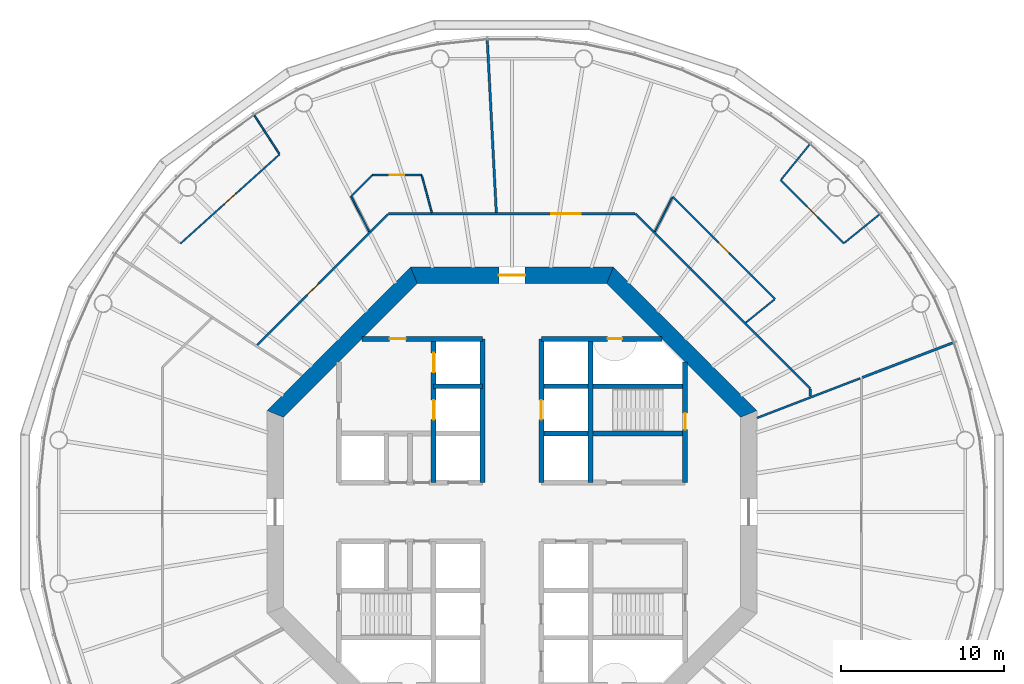
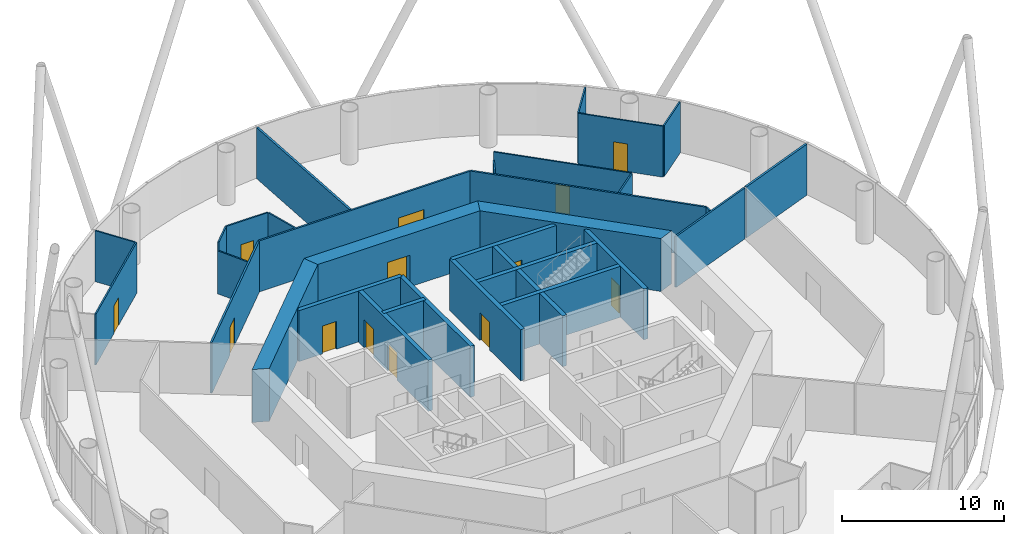
# One storey, part 5 of 13: 32 walls, 13 doors, 13 openings.
"""IFC4 building model written with IfcOpenShell, lengths in metres."""

from ifc_helpers import new_model, si_unit, direction, frame, frame_2d, origin, place, context, subcontext, project, spatial, polyline, rectangle, outline, extrude, material, layer, layer_set, type_object, element, fill, save


model = new_model("IFC4")

# Units and contexts
model_context = context("Model", 3, precision=1e-05, world=origin(), true_north=direction((0.0, 1.0)))
body_context = subcontext(model_context, "Body", "Model", "MODEL_VIEW")
ifc_project = project(units=[si_unit("LENGTHUNIT", "METRE"), si_unit("AREAUNIT", "SQUARE_METRE"), si_unit("VOLUMEUNIT", "CUBIC_METRE"), si_unit("PLANEANGLEUNIT", "RADIAN"), si_unit("MASSUNIT", "GRAM", prefix="KILO")], contexts=[model_context])

# Site, building, storey
site_placement = place(None, origin())
site = spatial("IfcSite", under=ifc_project, at=site_placement, CompositionType="ELEMENT")
building_placement = place(site_placement, origin())
building = spatial("IfcBuilding", under=site, at=building_placement, Name="Entoto Ring Tower", CompositionType="ELEMENT")
storey_placement = place(building_placement, frame((0.0, 0.0, 180.0)))
storey = spatial("IfcBuildingStorey", under=building, at=storey_placement, Name="L41", CompositionType="ELEMENT", Elevation=180.0)

# Wall, opening, door
ifc_material_1 = material(Name="Concrete C40/50", Category="concrete")
ifc_layer_1 = layer(ifc_material_1, 0.300048828125)
ifc_layer_set_1 = layer_set([ifc_layer_1], Name="Concrete C40/50")
wall_type_1 = type_object("IfcWallType", Name="Core enclosure wall 300 mm reinforced concrete", PredefinedType="SOLIDWALL", material=ifc_layer_set_1)
wall_1_placement = place(storey_placement, frame((100.60009765625, 81.800048828125, 0.0), z_axis=(0.0, 0.0, 1.0), x_axis=(0.0, 1.0, 0.0)))
wall_1 = element("IfcWall", 1, at=wall_1_placement, inside=storey, type_object=wall_type_1, Name="wall-L41-002", PredefinedType="SOLIDWALL", context=body_context, shape_type="SweptSolid", body=[
    extrude(rectangle(XDim=7.39892578125, YDim=0.300048828125, at=frame_2d((3.699462890625, 0.0))), origin(), (0.0, 0.0, 1.0), 3.85009765625),
])
opening_1_placement = place(wall_1_placement, frame((3.25, 0.0, 0.0)))
opening_1 = element("IfcOpeningElement", 2, at=opening_1_placement, cuts=wall_1, Name="Opening K-17", PredefinedType="OPENING", context=body_context, shape_type="SweptSolid", body=[
    extrude(rectangle(XDim=1.0, YDim=2.10009765625, at=frame_2d((0.5, 1.050048828125))), frame((0.0, 0.16015625, 0.0), z_axis=(0.0, -1.0, 0.0), x_axis=(1.0, 0.0, 0.0)), (0.0, 0.0, 1.0), 0.320068359375),
])
ifc_material_2 = material(Name="Steel door leaf, fire rated", Category="steel")
ifc_layer_2 = layer(ifc_material_2, 0.050048828125)
ifc_layer_set_2 = layer_set([ifc_layer_2], Name="Steel door leaf, fire rated")
door_type_1 = type_object("IfcDoorType", Name="Fire door FD60 1000 x 2100 single leaf", OperationType="NOTDEFINED", PredefinedType="DOOR", material=ifc_layer_set_2)
door_1_placement = place(opening_1_placement, origin())
door_1 = element("IfcDoor", 3, at=door_1_placement, inside=storey, type_object=door_type_1, Name="Door K-17", OperationType="SINGLE_SWING_LEFT", OverallHeight=2.10009765625, OverallWidth=1.0, PredefinedType="DOOR", context=body_context, shape_type="SweptSolid", body=[
    extrude(rectangle(XDim=1.0, YDim=2.10009765625, at=frame_2d((0.5, 1.050048828125))), frame((0.0, 0.02490234375, 0.0), z_axis=(0.0, -1.0, 0.0), x_axis=(1.0, 0.0, 0.0)), (0.0, 0.0, 1.0), 0.050048828125),
])
fill(opening_1, door_1)

# Wall
wall_2_placement = place(storey_placement, frame((94.800048828125, 81.800048828125, 0.0), z_axis=(0.0, 0.0, 1.0), x_axis=(0.0, 1.0, 0.0)))
element("IfcWall", 4, at=wall_2_placement, inside=storey, type_object=wall_type_1, Name="wall-L41-004", PredefinedType="SOLIDWALL", context=body_context, shape_type="SweptSolid", body=[
    extrude(rectangle(XDim=8.800048828125, YDim=0.300048828125, at=frame_2d((4.39990234375, 0.0))), origin(), (0.0, 0.0, 1.0), 3.85009765625),
])

# Wall, opening, door
wall_3_placement = place(storey_placement, frame((91.800048828125, 81.800048828125, 0.0), z_axis=(0.0, 0.0, 1.0), x_axis=(0.0, 1.0, 0.0)))
wall_3 = element("IfcWall", 5, at=wall_3_placement, inside=storey, type_object=wall_type_1, Name="wall-L41-006", PredefinedType="SOLIDWALL", context=body_context, shape_type="SweptSolid", body=[
    extrude(rectangle(XDim=8.800048828125, YDim=0.300048828125, at=frame_2d((4.39990234375, 0.0))), origin(), (0.0, 0.0, 1.0), 3.85009765625),
])
opening_2_placement = place(wall_3_placement, frame((3.85009765625, 0.0, 0.0)))
opening_2 = element("IfcOpeningElement", 6, at=opening_2_placement, cuts=wall_3, Name="Opening LD", PredefinedType="OPENING", context=body_context, shape_type="SweptSolid", body=[
    extrude(rectangle(XDim=1.199951171875, YDim=2.10009765625, at=frame_2d((0.60009765625, 1.050048828125))), frame((0.0, 0.16015625, 0.0), z_axis=(0.0, -1.0, 0.0), x_axis=(1.0, 0.0, 0.0)), (0.0, 0.0, 1.0), 0.320068359375),
])
ifc_material_3 = material(Name="Steel and glass door leaf", Category="steel")
ifc_layer_3 = layer(ifc_material_3, 0.050048828125)
ifc_layer_set_3 = layer_set([ifc_layer_3], Name="Steel and glass door leaf")
door_type_2 = type_object("IfcDoorType", Name="Landing door 1200 x 2100 sliding", OperationType="DOUBLE_DOOR_SLIDING", PredefinedType="DOOR", material=ifc_layer_set_3)
door_2_placement = place(opening_2_placement, origin())
door_2 = element("IfcDoor", 7, at=door_2_placement, inside=storey, type_object=door_type_2, Name="Landing door LB1-MR", OperationType="SLIDING_TO_RIGHT", OverallHeight=2.10009765625, OverallWidth=1.199951171875, PredefinedType="DOOR", context=body_context, shape_type="SweptSolid", body=[
    extrude(rectangle(XDim=1.199951171875, YDim=2.10009765625, at=frame_2d((0.60009765625, 1.050048828125))), frame((0.0, 0.02490234375, 0.0), z_axis=(0.0, -1.0, 0.0), x_axis=(1.0, 0.0, 0.0)), (0.0, 0.0, 1.0), 0.050048828125),
])
fill(opening_2, door_2)

# Wall
wall_4_placement = place(storey_placement, frame((88.199951171875, 81.800048828125, 0.0), z_axis=(0.0, 0.0, 1.0), x_axis=(0.0, 1.0, 0.0)))
element("IfcWall", 8, at=wall_4_placement, inside=storey, type_object=wall_type_1, Name="wall-L41-008", PredefinedType="SOLIDWALL", context=body_context, shape_type="SweptSolid", body=[
    extrude(rectangle(XDim=8.800048828125, YDim=0.300048828125, at=frame_2d((4.39990234375, 0.0))), origin(), (0.0, 0.0, 1.0), 3.85009765625),
])

# Wall, openings, doors
wall_5_placement = place(storey_placement, frame((85.199951171875, 81.800048828125, 0.0), z_axis=(0.0, 0.0, 1.0), x_axis=(0.0, 1.0, 0.0)))
wall_5 = element("IfcWall", 9, at=wall_5_placement, inside=storey, type_object=wall_type_1, Name="wall-L41-010", PredefinedType="SOLIDWALL", context=body_context, shape_type="SweptSolid", body=[
    extrude(rectangle(XDim=8.800048828125, YDim=0.300048828125, at=frame_2d((4.39990234375, 0.0))), origin(), (0.0, 0.0, 1.0), 3.85009765625),
])
opening_3_placement = place(wall_5_placement, frame((3.85009765625, 0.0, 0.0)))
opening_3 = element("IfcOpeningElement", 10, at=opening_3_placement, cuts=wall_5, Name="Opening LD", PredefinedType="OPENING", context=body_context, shape_type="SweptSolid", body=[
    extrude(rectangle(XDim=1.199951171875, YDim=2.10009765625, at=frame_2d((0.60009765625, 1.050048828125))), frame((0.0, 0.16015625, 0.0), z_axis=(0.0, -1.0, 0.0), x_axis=(1.0, 0.0, 0.0)), (0.0, 0.0, 1.0), 0.320068359375),
])
opening_4_placement = place(wall_5_placement, frame((6.75, 0.0, 0.0)))
opening_4 = element("IfcOpeningElement", 11, at=opening_4_placement, cuts=wall_5, Name="Opening LD", PredefinedType="OPENING", context=body_context, shape_type="SweptSolid", body=[
    extrude(rectangle(XDim=1.199951171875, YDim=2.10009765625, at=frame_2d((0.60009765625, 1.050048828125))), frame((0.0, 0.16015625, 0.0), z_axis=(0.0, -1.0, 0.0), x_axis=(1.0, 0.0, 0.0)), (0.0, 0.0, 1.0), 0.320068359375),
])
door_3_placement = place(opening_3_placement, origin())
door_3 = element("IfcDoor", 12, at=door_3_placement, inside=storey, type_object=door_type_2, Name="Landing door FF1", OperationType="SLIDING_TO_RIGHT", OverallHeight=2.10009765625, OverallWidth=1.199951171875, PredefinedType="DOOR", context=body_context, shape_type="SweptSolid", body=[
    extrude(rectangle(XDim=1.199951171875, YDim=2.10009765625, at=frame_2d((0.60009765625, 1.050048828125))), frame((0.0, 0.02490234375, 0.0), z_axis=(0.0, -1.0, 0.0), x_axis=(1.0, 0.0, 0.0)), (0.0, 0.0, 1.0), 0.050048828125),
])
fill(opening_3, door_3)
door_4_placement = place(opening_4_placement, origin())
door_4 = element("IfcDoor", 13, at=door_4_placement, inside=storey, type_object=door_type_2, Name="Landing door FF2", OperationType="SLIDING_TO_RIGHT", OverallHeight=2.10009765625, OverallWidth=1.199951171875, PredefinedType="DOOR", context=body_context, shape_type="SweptSolid", body=[
    extrude(rectangle(XDim=1.199951171875, YDim=2.10009765625, at=frame_2d((0.60009765625, 1.050048828125))), frame((0.0, 0.02490234375, 0.0), z_axis=(0.0, -1.0, 0.0), x_axis=(1.0, 0.0, 0.0)), (0.0, 0.0, 1.0), 0.050048828125),
])
fill(opening_4, door_4)

# Walls
wall_6_placement = place(storey_placement, frame((91.800048828125, 84.800048828125, 0.0), z_axis=(0.0, 0.0, 1.0), x_axis=(1.0, 0.0, 0.0)))
element("IfcWall", 14, at=wall_6_placement, inside=storey, type_object=wall_type_1, Name="wall-L41-028", PredefinedType="SOLIDWALL", context=body_context, shape_type="SweptSolid", body=[
    extrude(rectangle(XDim=8.800048828125, YDim=0.300048828125, at=frame_2d((4.39990234375, 0.0))), origin(), (0.0, 0.0, 1.0), 3.85009765625),
])
wall_7_placement = place(storey_placement, frame((85.199951171875, 87.699951171875, 0.0), z_axis=(0.0, 0.0, 1.0), x_axis=(1.0, 0.0, 0.0)))
element("IfcWall", 15, at=wall_7_placement, inside=storey, type_object=wall_type_1, Name="wall-L41-029", PredefinedType="SOLIDWALL", context=body_context, shape_type="SweptSolid", body=[
    extrude(rectangle(XDim=3.0, YDim=0.300048828125, at=frame_2d((1.5, 0.0))), origin(), (0.0, 0.0, 1.0), 3.85009765625),
])
wall_8_placement = place(storey_placement, frame((91.800048828125, 87.699951171875, 0.0), z_axis=(0.0, 0.0, 1.0), x_axis=(1.0, 0.0, 0.0)))
element("IfcWall", 16, at=wall_8_placement, inside=storey, type_object=wall_type_1, Name="wall-L41-030", PredefinedType="SOLIDWALL", context=body_context, shape_type="SweptSolid", body=[
    extrude(rectangle(XDim=8.800048828125, YDim=0.300048828125, at=frame_2d((4.39990234375, 0.0))), origin(), (0.0, 0.0, 1.0), 3.85009765625),
])

# Wall, opening, door
wall_9_placement = place(storey_placement, frame((80.801025390625, 90.60009765625, 0.0), z_axis=(0.0, 0.0, 1.0), x_axis=(1.0, 0.0, 0.0)))
wall_9 = element("IfcWall", 17, at=wall_9_placement, inside=storey, type_object=wall_type_1, Name="wall-L41-031", PredefinedType="SOLIDWALL", context=body_context, shape_type="SweptSolid", body=[
    extrude(rectangle(XDim=7.39892578125, YDim=0.300048828125, at=frame_2d((3.699462890625, 0.0))), origin(), (0.0, 0.0, 1.0), 3.85009765625),
])
opening_5_placement = place(wall_9_placement, frame((1.698974609375, 0.0, 0.0)))
opening_5 = element("IfcOpeningElement", 18, at=opening_5_placement, cuts=wall_9, Name="Opening K-73", PredefinedType="OPENING", context=body_context, shape_type="SweptSolid", body=[
    extrude(rectangle(XDim=1.0, YDim=2.10009765625, at=frame_2d((0.5, 1.050048828125))), frame((0.0, 0.16015625, 0.0), z_axis=(0.0, -1.0, 0.0), x_axis=(1.0, 0.0, 0.0)), (0.0, 0.0, 1.0), 0.320068359375),
])
door_5_placement = place(opening_5_placement, frame((1.0, 0.0, 0.0), z_axis=(0.0, 0.0, 1.0), x_axis=(-1.0, 0.0, 0.0)))
door_5 = element("IfcDoor", 19, at=door_5_placement, inside=storey, type_object=door_type_1, Name="Door K-73", OperationType="SINGLE_SWING_LEFT", OverallHeight=2.10009765625, OverallWidth=1.0, PredefinedType="DOOR", context=body_context, shape_type="SweptSolid", body=[
    extrude(rectangle(XDim=1.0, YDim=2.10009765625, at=frame_2d((0.5, 1.050048828125))), frame((0.0, 0.02490234375, 0.0), z_axis=(0.0, -1.0, 0.0), x_axis=(1.0, 0.0, 0.0)), (0.0, 0.0, 1.0), 0.050048828125),
])
fill(opening_5, door_5)

wall_10_placement = place(storey_placement, frame((91.800048828125, 90.60009765625, 0.0), z_axis=(0.0, 0.0, 1.0), x_axis=(1.0, 0.0, 0.0)))
wall_10 = element("IfcWall", 20, at=wall_10_placement, inside=storey, type_object=wall_type_1, Name="wall-L41-032", PredefinedType="SOLIDWALL", context=body_context, shape_type="SweptSolid", body=[
    extrude(rectangle(XDim=7.39892578125, YDim=0.300048828125, at=frame_2d((3.699462890625, 0.0))), origin(), (0.0, 0.0, 1.0), 3.85009765625),
])
opening_6_placement = place(wall_10_placement, frame((4.050048828125, 0.0, 0.0)))
opening_6 = element("IfcOpeningElement", 21, at=opening_6_placement, cuts=wall_10, Name="Opening K-20", PredefinedType="OPENING", context=body_context, shape_type="SweptSolid", body=[
    extrude(rectangle(XDim=0.89990234375, YDim=2.10009765625, at=frame_2d((0.449951171875, 1.050048828125))), frame((0.0, 0.16015625, 0.0), z_axis=(0.0, -1.0, 0.0), x_axis=(1.0, 0.0, 0.0)), (0.0, 0.0, 1.0), 0.320068359375),
])
ifc_material_4 = material(Name="Steel door leaf, fire rated", Category="steel")
ifc_layer_4 = layer(ifc_material_4, 0.050048828125)
ifc_layer_set_4 = layer_set([ifc_layer_4], Name="Steel door leaf, fire rated")
door_type_3 = type_object("IfcDoorType", Name="Riser door FD60 900 x 2100 single leaf", OperationType="NOTDEFINED", PredefinedType="DOOR", material=ifc_layer_set_4)
door_6_placement = place(opening_6_placement, frame((0.89990234375, 0.0, 0.0), z_axis=(0.0, 0.0, 1.0), x_axis=(-1.0, 0.0, 0.0)))
door_6 = element("IfcDoor", 22, at=door_6_placement, inside=storey, type_object=door_type_3, Name="Door K-20", OperationType="SINGLE_SWING_RIGHT", OverallHeight=2.10009765625, OverallWidth=0.89990234375, PredefinedType="DOOR", context=body_context, shape_type="SweptSolid", body=[
    extrude(rectangle(XDim=0.89990234375, YDim=2.10009765625, at=frame_2d((0.449951171875, 1.050048828125))), frame((0.0, 0.02490234375, 0.0), z_axis=(0.0, -1.0, 0.0), x_axis=(1.0, 0.0, 0.0)), (0.0, 0.0, 1.0), 0.050048828125),
])
fill(opening_6, door_6)

# Wall
ifc_material_5 = material(Name="Concrete C50/60", Category="concrete")
ifc_layer_5 = layer(ifc_material_5, 1.0)
ifc_layer_set_5 = layer_set([ifc_layer_5], Name="Concrete C50/60")
wall_type_2 = type_object("IfcWallType", Name="Core shear wall 1000 mm reinforced concrete C50/60", PredefinedType="SHEAR", material=ifc_layer_set_5)
wall_11_placement = place(storey_placement, frame((104.5, 86.006103515625, 0.0), z_axis=(0.0, 0.0, 1.0), x_axis=(-0.707106781187, 0.707106781187, 0.0)))
element("IfcWall", 23, at=wall_11_placement, inside=storey, type_object=wall_type_2, Name="wall-L41-core-1", PredefinedType="SHEAR", context=body_context, shape_type="SweptSolid", body=[
    extrude(outline(polyline([(-0.20703125, -0.5), (12.21923828125, -0.5), (11.80517578125, 0.5), (0.20703125, 0.5), (-0.20703125, -0.5)])), origin(), (0.0, 0.0, 1.0), 4.0),
])

# Wall, opening, door
wall_12_placement = place(storey_placement, frame((96.006103515625, 94.5, 0.0), z_axis=(0.0, 0.0, 1.0), x_axis=(-1.0, 0.0, 0.0)))
wall_12 = element("IfcWall", 24, at=wall_12_placement, inside=storey, type_object=wall_type_2, Name="wall-L41-core-2", PredefinedType="SHEAR", context=body_context, shape_type="SweptSolid", body=[
    extrude(outline(polyline([(-0.20703125, -0.5), (12.21923828125, -0.5), (11.80517578125, 0.5), (0.20703125, 0.5), (-0.20703125, -0.5)])), origin(), (0.0, 0.0, 1.0), 4.0),
])
opening_7_placement = place(wall_12_placement, frame((5.2060546875, 0.0, 0.0)))
opening_7 = element("IfcOpeningElement", 25, at=opening_7_placement, cuts=wall_12, Name="Opening K-02", PredefinedType="OPENING", context=body_context, shape_type="SweptSolid", body=[
    extrude(rectangle(XDim=1.60009765625, YDim=2.39990234375, at=frame_2d((0.800048828125, 1.199951171875))), frame((0.0, 0.510009765625, 0.0), z_axis=(0.0, -1.0, 0.0), x_axis=(1.0, 0.0, 0.0)), (0.0, 0.0, 1.0), 1.02001953125),
])
ifc_material_6 = material(Name="Steel door leaf, fire rated", Category="steel")
ifc_layer_6 = layer(ifc_material_6, 0.050048828125)
ifc_layer_set_6 = layer_set([ifc_layer_6], Name="Steel door leaf, fire rated")
door_type_4 = type_object("IfcDoorType", Name="Entrance door FD60 1600 x 2400 double leaf", OperationType="DOUBLE_DOOR_SINGLE_SWING", PredefinedType="DOOR", material=ifc_layer_set_6)
door_7_placement = place(opening_7_placement, origin())
door_7 = element("IfcDoor", 26, at=door_7_placement, inside=storey, type_object=door_type_4, Name="Entrance door K-02", OperationType="DOUBLE_DOOR_SINGLE_SWING", OverallHeight=2.39990234375, OverallWidth=1.60009765625, PredefinedType="DOOR", context=body_context, shape_type="SweptSolid", body=[
    extrude(rectangle(XDim=1.60009765625, YDim=2.39990234375, at=frame_2d((0.800048828125, 1.199951171875))), frame((0.0, 0.02490234375, 0.0), z_axis=(0.0, -1.0, 0.0), x_axis=(1.0, 0.0, 0.0)), (0.0, 0.0, 1.0), 0.050048828125),
])
fill(opening_7, door_7)

# Walls
wall_13_placement = place(storey_placement, frame((83.993896484375, 94.5, 0.0), z_axis=(0.0, 0.0, 1.0), x_axis=(-0.707106781187, -0.707106781187, 0.0)))
element("IfcWall", 27, at=wall_13_placement, inside=storey, type_object=wall_type_2, Name="wall-L41-core-3", PredefinedType="SHEAR", context=body_context, shape_type="SweptSolid", body=[
    extrude(outline(polyline([(-0.20703125, -0.5), (12.21923828125, -0.5), (11.80517578125, 0.5), (0.20703125, 0.5), (-0.20703125, -0.5)])), origin(), (0.0, 0.0, 1.0), 4.0),
])
ifc_material_7 = material(Name="Fire-resisting plasterboard on steel studs", Category="steel")
ifc_layer_7 = layer(ifc_material_7, 0.125)
ifc_layer_set_7 = layer_set([ifc_layer_7], Name="Fire-resisting plasterboard on steel studs")
wall_type_3 = type_object("IfcWallType", Name="Corridor wall 125 mm one-hour plasterboard on steel studs", PredefinedType="PARTITIONING", material=ifc_layer_set_7)
wall_14_placement = place(storey_placement, frame((108.262451171875, 87.564697265625, 0.0), z_axis=(0.0, 0.0, 1.0), x_axis=(-0.707106781187, 0.707106781187, 0.0)))
element("IfcWall", 28, at=wall_14_placement, inside=storey, type_object=wall_type_3, Name="partition-L41-003", PredefinedType="PARTITIONING", context=body_context, shape_type="SweptSolid", body=[
    extrude(rectangle(XDim=15.12890625, YDim=0.125, at=frame_2d((7.564453125, 0.0))), origin(), (0.0, 0.0, 1.0), 3.85009765625),
])

# Wall, opening, door
wall_15_placement = place(storey_placement, frame((82.435302734375, 98.262451171875, 0.0), z_axis=(0.0, 0.0, 1.0), x_axis=(1.0, 0.0, 0.0)))
wall_15 = element("IfcWall", 29, at=wall_15_placement, inside=storey, type_object=wall_type_3, Name="partition-L41-005", PredefinedType="PARTITIONING", context=body_context, shape_type="SweptSolid", body=[
    extrude(rectangle(XDim=15.085205078125, YDim=0.125, at=frame_2d((7.54248046875, 0.0))), origin(), (0.0, 0.0, 1.0), 3.85009765625),
])
opening_8_placement = place(wall_15_placement, frame((9.96826171875, 0.0, 0.0)))
opening_8 = element("IfcOpeningElement", 30, at=opening_8_placement, cuts=wall_15, Name="Opening A18-D03", PredefinedType="OPENING", context=body_context, shape_type="SweptSolid", body=[
    extrude(rectangle(XDim=1.800048828125, YDim=2.10009765625, at=frame_2d((0.89990234375, 1.050048828125))), frame((0.0, 0.072509765625, 0.0), z_axis=(0.0, -1.0, 0.0), x_axis=(1.0, 0.0, 0.0)), (0.0, 0.0, 1.0), 0.14501953125),
])
ifc_material_8 = material(Name="Fire-resisting timber door set", Category="wood")
door_type_5 = type_object("IfcDoorType", Name="Door 1800 x 2100 double leaf FD30S fire door", OperationType="DOUBLE_DOOR_SINGLE_SWING", PredefinedType="DOOR", material=ifc_material_8)
door_8_placement = place(opening_8_placement, origin())
door_8 = element("IfcDoor", 31, at=door_8_placement, inside=storey, type_object=door_type_5, Name="Door A18-D03", OperationType="DOUBLE_DOOR_SINGLE_SWING", OverallHeight=2.10009765625, OverallWidth=1.800048828125, PredefinedType="DOOR", context=body_context, shape_type="SweptSolid", body=[
    extrude(rectangle(XDim=1.800048828125, YDim=2.10009765625, at=frame_2d((0.89990234375, 1.050048828125))), frame((0.0, 0.02490234375, 0.0), z_axis=(0.0, -1.0, 0.0), x_axis=(1.0, 0.0, 0.0)), (0.0, 0.0, 1.0), 0.050048828125),
])
fill(opening_8, door_8)

wall_16_placement = place(storey_placement, frame((74.39599609375, 90.22314453125, 0.0), z_axis=(0.0, 0.0, 1.0), x_axis=(0.707106781187, 0.707106781187, 0.0)))
wall_16 = element("IfcWall", 32, at=wall_16_placement, inside=storey, type_object=wall_type_3, Name="partition-L41-007", PredefinedType="PARTITIONING", context=body_context, shape_type="SweptSolid", body=[
    extrude(rectangle(XDim=11.325439453125, YDim=0.125, at=frame_2d((5.66259765625, 0.0))), origin(), (0.0, 0.0, 1.0), 3.85009765625),
])
opening_9_placement = place(wall_16_placement, frame((4.330810546875, 0.0, 0.0)))
opening_9 = element("IfcOpeningElement", 33, at=opening_9_placement, cuts=wall_16, Name="Opening A18-D06", PredefinedType="OPENING", context=body_context, shape_type="SweptSolid", body=[
    extrude(rectangle(XDim=1.0, YDim=2.10009765625, at=frame_2d((0.5, 1.050048828125))), frame((0.0, 0.072509765625, 0.0), z_axis=(0.0, -1.0, 0.0), x_axis=(1.0, 0.0, 0.0)), (0.0, 0.0, 1.0), 0.14501953125),
])
ifc_material_9 = material(Name="Fire-resisting timber door set", Category="wood")
door_type_6 = type_object("IfcDoorType", Name="Door 1000 x 2100 single leaf FD30S fire door", OperationType="NOTDEFINED", PredefinedType="DOOR", material=ifc_material_9)
door_9_placement = place(opening_9_placement, origin())
door_9 = element("IfcDoor", 34, at=door_9_placement, inside=storey, type_object=door_type_6, Name="Door A18-D06", OperationType="SINGLE_SWING_LEFT", OverallHeight=2.10009765625, OverallWidth=1.0, PredefinedType="DOOR", context=body_context, shape_type="SweptSolid", body=[
    extrude(rectangle(XDim=1.0, YDim=2.10009765625, at=frame_2d((0.5, 1.050048828125))), frame((0.0, 0.02490234375, 0.0), z_axis=(0.0, -1.0, 0.0), x_axis=(1.0, 0.0, 0.0)), (0.0, 0.0, 1.0), 0.050048828125),
])
fill(opening_9, door_9)

# Walls
wall_17_placement = place(storey_placement, frame((105.0, 85.758056640625, 0.0), z_axis=(0.0, 0.0, 1.0), x_axis=(0.933585389183, 0.358355021038, 0.0)))
element("IfcWall", 35, at=wall_17_placement, inside=storey, type_object=wall_type_3, Name="partition-L41-009", PredefinedType="PARTITIONING", context=body_context, shape_type="SweptSolid", body=[
    extrude(rectangle(XDim=6.764404296875, YDim=0.125, at=frame_2d((3.38232421875, 0.0))), origin(), (0.0, 0.0, 1.0), 3.85009765625),
])
wall_18_placement = place(storey_placement, frame((108.262451171875, 87.10107421875, 0.0), z_axis=(0.0, 0.0, 1.0), x_axis=(0.0, 1.0, 0.0)))
element("IfcWall", 36, at=wall_18_placement, inside=storey, type_object=wall_type_3, Name="partition-L41-016", PredefinedType="PARTITIONING", context=body_context, shape_type="SweptSolid", body=[
    extrude(rectangle(XDim=0.41943359375, YDim=0.125, at=frame_2d((0.209716796875, 0.0))), origin(), (0.0, 0.0, 1.0), 3.85009765625),
])

# Wall, opening, door
ifc_material_10 = material(Name="Plasterboard on steel studs", Category="steel")
ifc_layer_8 = layer(ifc_material_10, 0.10009765625)
ifc_layer_set_8 = layer_set([ifc_layer_8], Name="Plasterboard on steel studs")
wall_type_4 = type_object("IfcWallType", Name="Partition 100 mm plasterboard on steel studs", PredefinedType="PARTITIONING", material=ifc_layer_set_8)
wall_19_placement = place(storey_placement, frame((106.107177734375, 93.043212890625, 0.0), z_axis=(0.0, 0.0, 1.0), x_axis=(-0.707093009375, 0.70712055273, 0.0)))
wall_19 = element("IfcWall", 37, at=wall_19_placement, inside=storey, type_object=wall_type_4, Name="partition-L41-023", PredefinedType="PARTITIONING", context=body_context, shape_type="SweptSolid", body=[
    extrude(rectangle(XDim=8.86376953125, YDim=0.10009765625, at=frame_2d((4.431884765625, 0.0))), origin(), (0.0, 0.0, 1.0), 3.85009765625),
])
opening_10_placement = place(wall_19_placement, frame((3.98193359375, 0.0, 0.0)))
opening_10 = element("IfcOpeningElement", 38, at=opening_10_placement, cuts=wall_19, Name="Opening A18-D04", PredefinedType="OPENING", context=body_context, shape_type="SweptSolid", body=[
    extrude(rectangle(XDim=0.89990234375, YDim=2.10009765625, at=frame_2d((0.449951171875, 1.050048828125))), frame((0.0, 0.06005859375, 0.0), z_axis=(0.0, -1.0, 0.0), x_axis=(1.0, 0.0, 0.0)), (0.0, 0.0, 1.0), 0.1201171875),
])
ifc_material_11 = material(Name="Veneered timber door leaf in timber frame", Category="wood")
door_type_7 = type_object("IfcDoorType", Name="Door 900 x 2100 single leaf timber veneer", OperationType="NOTDEFINED", PredefinedType="DOOR", material=ifc_material_11)
door_10_placement = place(opening_10_placement, origin())
door_10 = element("IfcDoor", 39, at=door_10_placement, inside=storey, type_object=door_type_7, Name="Door A18-D04", OperationType="SINGLE_SWING_RIGHT", OverallHeight=2.10009765625, OverallWidth=0.89990234375, PredefinedType="DOOR", context=body_context, shape_type="SweptSolid", body=[
    extrude(rectangle(XDim=0.89990234375, YDim=2.10009765625, at=frame_2d((0.449951171875, 1.050048828125))), frame((0.0, 0.02490234375, 0.0), z_axis=(0.0, -1.0, 0.0), x_axis=(1.0, 0.0, 0.0)), (0.0, 0.0, 1.0), 0.050048828125),
])
fill(opening_10, door_10)

wall_20_placement = place(storey_placement, frame((69.700927734375, 96.437744140625, 0.0), z_axis=(0.0, 0.0, 1.0), x_axis=(0.743138149353, 0.669138020872, 0.0)))
wall_20 = element("IfcWall", 40, at=wall_20_placement, inside=storey, type_object=wall_type_4, Name="partition-L41-024", PredefinedType="PARTITIONING", context=body_context, shape_type="SweptSolid", body=[
    extrude(rectangle(XDim=8.172119140625, YDim=0.10009765625, at=frame_2d((4.0859375, 0.0))), origin(), (0.0, 0.0, 1.0), 3.85009765625),
])
opening_11_placement = place(wall_20_placement, frame((3.635986328125, 0.0, 0.0)))
opening_11 = element("IfcOpeningElement", 41, at=opening_11_placement, cuts=wall_20, Name="Opening A18-D08", PredefinedType="OPENING", context=body_context, shape_type="SweptSolid", body=[
    extrude(rectangle(XDim=0.89990234375, YDim=2.10009765625, at=frame_2d((0.449951171875, 1.050048828125))), frame((0.0, 0.06005859375, 0.0), z_axis=(0.0, -1.0, 0.0), x_axis=(1.0, 0.0, 0.0)), (0.0, 0.0, 1.0), 0.1201171875),
])
door_11_placement = place(opening_11_placement, origin())
door_11 = element("IfcDoor", 42, at=door_11_placement, inside=storey, type_object=door_type_7, Name="Door A18-D08", OperationType="SINGLE_SWING_LEFT", OverallHeight=2.10009765625, OverallWidth=0.89990234375, PredefinedType="DOOR", context=body_context, shape_type="SweptSolid", body=[
    extrude(rectangle(XDim=0.89990234375, YDim=2.10009765625, at=frame_2d((0.449951171875, 1.050048828125))), frame((0.0, 0.02490234375, 0.0), z_axis=(0.0, -1.0, 0.0), x_axis=(1.0, 0.0, 0.0)), (0.0, 0.0, 1.0), 0.050048828125),
])
fill(opening_11, door_11)

wall_21_placement = place(storey_placement, frame((110.314697265625, 96.450439453125, 0.0), z_axis=(0.0, 0.0, 1.0), x_axis=(-0.707106781187, 0.707106781187, 0.0)))
wall_21 = element("IfcWall", 43, at=wall_21_placement, inside=storey, type_object=wall_type_4, Name="partition-L41-028", PredefinedType="PARTITIONING", context=body_context, shape_type="SweptSolid", body=[
    extrude(rectangle(XDim=5.46484375, YDim=0.10009765625, at=frame_2d((2.732421875, 0.0))), origin(), (0.0, 0.0, 1.0), 3.85009765625),
])
opening_12_placement = place(wall_21_placement, frame((2.282470703125, 0.0, 0.0)))
opening_12 = element("IfcOpeningElement", 44, at=opening_12_placement, cuts=wall_21, Name="Opening A18-D05", PredefinedType="OPENING", context=body_context, shape_type="SweptSolid", body=[
    extrude(rectangle(XDim=0.89990234375, YDim=2.10009765625, at=frame_2d((0.449951171875, 1.050048828125))), frame((0.0, 0.06005859375, 0.0), z_axis=(0.0, -1.0, 0.0), x_axis=(1.0, 0.0, 0.0)), (0.0, 0.0, 1.0), 0.1201171875),
])
door_12_placement = place(opening_12_placement, frame((0.89990234375, 0.0, 0.0), z_axis=(0.0, 0.0, 1.0), x_axis=(-1.0, 0.0, 0.0)))
door_12 = element("IfcDoor", 45, at=door_12_placement, inside=storey, type_object=door_type_7, Name="Door A18-D05", OperationType="SINGLE_SWING_RIGHT", OverallHeight=2.10009765625, OverallWidth=0.89990234375, PredefinedType="DOOR", context=body_context, shape_type="SweptSolid", body=[
    extrude(rectangle(XDim=0.89990234375, YDim=2.10009765625, at=frame_2d((0.449951171875, 1.050048828125))), frame((0.0, 0.02490234375, 0.0), z_axis=(0.0, -1.0, 0.0), x_axis=(1.0, 0.0, 0.0)), (0.0, 0.0, 1.0), 0.050048828125),
])
fill(opening_12, door_12)

wall_22_placement = place(storey_placement, frame((81.45361328125, 100.632568359375, 0.0), z_axis=(0.0, 0.0, 1.0), x_axis=(1.0, 0.0, 0.0)))
wall_22 = element("IfcWall", 46, at=wall_22_placement, inside=storey, type_object=wall_type_4, Name="partition-L41-029", PredefinedType="PARTITIONING", context=body_context, shape_type="SweptSolid", body=[
    extrude(rectangle(XDim=3.017822265625, YDim=0.10009765625, at=frame_2d((1.5087890625, 0.0))), origin(), (0.0, 0.0, 1.0), 3.85009765625),
])
opening_13_placement = place(wall_22_placement, frame((1.058837890625, 0.0, 0.0)))
opening_13 = element("IfcOpeningElement", 47, at=opening_13_placement, cuts=wall_22, Name="Opening A18-D07", PredefinedType="OPENING", context=body_context, shape_type="SweptSolid", body=[
    extrude(rectangle(XDim=0.89990234375, YDim=2.10009765625, at=frame_2d((0.449951171875, 1.050048828125))), frame((0.0, 0.06005859375, 0.0), z_axis=(0.0, -1.0, 0.0), x_axis=(1.0, 0.0, 0.0)), (0.0, 0.0, 1.0), 0.1201171875),
])
door_13_placement = place(opening_13_placement, frame((0.89990234375, 0.0, 0.0), z_axis=(0.0, 0.0, 1.0), x_axis=(-1.0, 0.0, 0.0)))
door_13 = element("IfcDoor", 48, at=door_13_placement, inside=storey, type_object=door_type_7, Name="Door A18-D07", OperationType="SINGLE_SWING_LEFT", OverallHeight=2.10009765625, OverallWidth=0.89990234375, PredefinedType="DOOR", context=body_context, shape_type="SweptSolid", body=[
    extrude(rectangle(XDim=0.89990234375, YDim=2.10009765625, at=frame_2d((0.449951171875, 1.050048828125))), frame((0.0, 0.02490234375, 0.0), z_axis=(0.0, -1.0, 0.0), x_axis=(1.0, 0.0, 0.0)), (0.0, 0.0, 1.0), 0.050048828125),
])
fill(opening_13, door_13)

# Walls
wall_23_placement = place(storey_placement, frame((75.747314453125, 101.947509765625, 0.0), z_axis=(0.0, 0.0, 1.0), x_axis=(-0.544737449122, 0.838606648867, 0.0)))
element("IfcWall", 49, at=wall_23_placement, inside=storey, type_object=wall_type_4, Name="partition-L41-031", PredefinedType="PARTITIONING", context=body_context, shape_type="SweptSolid", body=[
    extrude(rectangle(XDim=2.770751953125, YDim=0.10009765625, at=frame_2d((1.38525390625, 0.0))), origin(), (0.0, 0.0, 1.0), 3.85009765625),
])
for number, where, z_axis, x_axis, name in (
    (50, (106.481689453125, 100.353271484375, 0.0), (0.0, 0.0, 1.0), (0.629328464219, 0.777139423864, 0.0), "partition-L41-033"),
    (51, (110.353271484375, 96.481689453125, 0.0), (0.0, 0.0, 1.0), (0.777139423864, 0.629328464219, 0.0), "partition-L41-034"),
):
    element("IfcWall", number, at=place(storey_placement, frame(where, z_axis=z_axis, x_axis=x_axis)), inside=storey, type_object=wall_type_4, Name=name, PredefinedType="PARTITIONING", context=body_context, shape_type="SweptSolid", body=[
        extrude(rectangle(XDim=2.75, YDim=0.10009765625, at=frame_2d((1.375, 0.0))), origin(), (0.0, 0.0, 1.0), 3.85009765625),
    ])
wall_24_placement = place(storey_placement, frame((85.08642578125, 98.337890625, 0.0), z_axis=(0.0, 0.0, 1.0), x_axis=(-0.258889887534, 0.965906841332, 0.0)))
element("IfcWall", 52, at=wall_24_placement, inside=storey, type_object=wall_type_4, Name="partition-L41-043", PredefinedType="PARTITIONING", context=body_context, shape_type="SweptSolid", body=[
    extrude(rectangle(XDim=2.327392578125, YDim=0.10009765625, at=frame_2d((1.16357421875, 0.0))), origin(), (0.0, 0.0, 1.0), 3.85009765625),
])
wall_25_placement = place(storey_placement, frame((104.32373046875, 91.59912109375, 0.0), z_axis=(0.0, 0.0, 1.0), x_axis=(0.77715345799, 0.62931113349, 0.0)))
element("IfcWall", 53, at=wall_25_placement, inside=storey, type_object=wall_type_4, Name="partition-L41-046", PredefinedType="PARTITIONING", context=body_context, shape_type="SweptSolid", body=[
    extrude(rectangle(XDim=2.2392578125, YDim=0.10009765625, at=frame_2d((1.11962890625, 0.0))), origin(), (0.0, 0.0, 1.0), 3.85009765625),
])
wall_26_placement = place(storey_placement, frame((80.1845703125, 99.36328125, 0.0), z_axis=(0.0, 0.0, 1.0), x_axis=(0.707106781187, 0.707106781187, 0.0)))
element("IfcWall", 54, at=wall_26_placement, inside=storey, type_object=wall_type_4, Name="partition-L41-047", PredefinedType="PARTITIONING", context=body_context, shape_type="SweptSolid", body=[
    extrude(rectangle(XDim=1.759765625, YDim=0.10009765625, at=frame_2d((0.8798828125, 0.0))), origin(), (0.0, 0.0, 1.0), 3.85009765625),
])
ifc_material_12 = material(Name="Plasterboard on steel studs", Category="steel")
ifc_layer_9 = layer(ifc_material_12, 0.10009765625)
ifc_layer_set_9 = layer_set([ifc_layer_9], Name="Plasterboard on steel studs")
wall_type_5 = type_object("IfcWallType", Name="Partition 100 mm plasterboard on steel studs, 3250 mm high", PredefinedType="PARTITIONING", material=ifc_layer_set_9)
wall_27_placement = place(storey_placement, frame((81.2451171875, 97.182373046875, 0.0), z_axis=(0.0, 0.0, 1.0), x_axis=(-0.454007720863, 0.890997749378, 0.0)))
element("IfcWall", 55, at=wall_27_placement, inside=storey, type_object=wall_type_5, Name="partition-L41-040", PredefinedType="PARTITIONING", context=body_context, shape_type="SweptSolid", body=[
    extrude(rectangle(XDim=2.41015625, YDim=0.10009765625, at=frame_2d((1.205078125, 0.0))), origin(), (0.0, 0.0, 1.0), 3.25),
])
wall_28_placement = place(storey_placement, frame((98.7548828125, 97.182373046875, 0.0), z_axis=(0.0, 0.0, 1.0), x_axis=(0.454018774689, 0.890992116817, 0.0)))
element("IfcWall", 56, at=wall_28_placement, inside=storey, type_object=wall_type_5, Name="partition-L41-041", PredefinedType="PARTITIONING", context=body_context, shape_type="SweptSolid", body=[
    extrude(rectangle(XDim=2.3203125, YDim=0.10009765625, at=frame_2d((1.16015625, 0.0))), origin(), (0.0, 0.0, 1.0), 3.25),
])
ifc_material_13 = material(Name="Fire-resisting acoustic plasterboard on steel studs", Category="steel")
ifc_layer_10 = layer(ifc_material_13, 0.14990234375)
ifc_layer_set_10 = layer_set([ifc_layer_10], Name="Fire-resisting acoustic plasterboard on steel studs")
wall_type_6 = type_object("IfcWallType", Name="Party wall 150 mm one-hour acoustic plasterboard on steel studs", PredefinedType="PARTITIONING", material=ifc_layer_set_10)
wall_29_placement = place(storey_placement, frame((89.039306640625, 98.328857421875, 0.0), z_axis=(0.0, 0.0, 1.0), x_axis=(-0.052328843677, 0.998629907483, 0.0)))
element("IfcWall", 57, at=wall_29_placement, inside=storey, type_object=wall_type_6, Name="partition-L41-017", PredefinedType="PARTITIONING", context=body_context, shape_type="SweptSolid", body=[
    extrude(rectangle(XDim=10.5859375, YDim=0.14990234375, at=frame_2d((5.29296875, 0.0))), origin(), (0.0, 0.0, 1.0), 3.85009765625),
])
wall_30_placement = place(storey_placement, frame((111.454345703125, 88.235595703125, 0.0), z_axis=(0.0, 0.0, 1.0), x_axis=(0.933587192323, 0.35835032347, 0.0)))
element("IfcWall", 58, at=wall_30_placement, inside=storey, type_object=wall_type_6, Name="partition-L41-022", PredefinedType="PARTITIONING", context=body_context, shape_type="SweptSolid", body=[
    extrude(rectangle(XDim=5.959228515625, YDim=0.14990234375, at=frame_2d((2.9794921875, 0.0))), origin(), (0.0, 0.0, 1.0), 3.85009765625),
])

save(model, "model.ifc")
